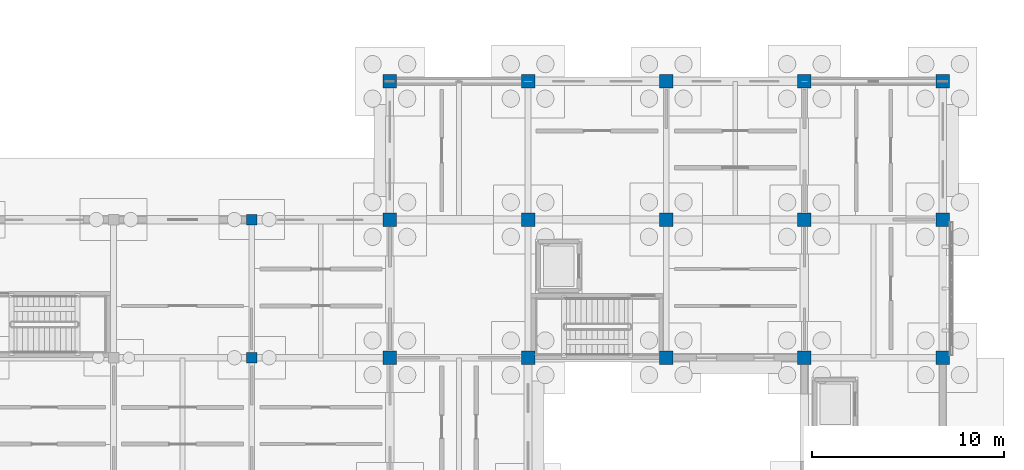
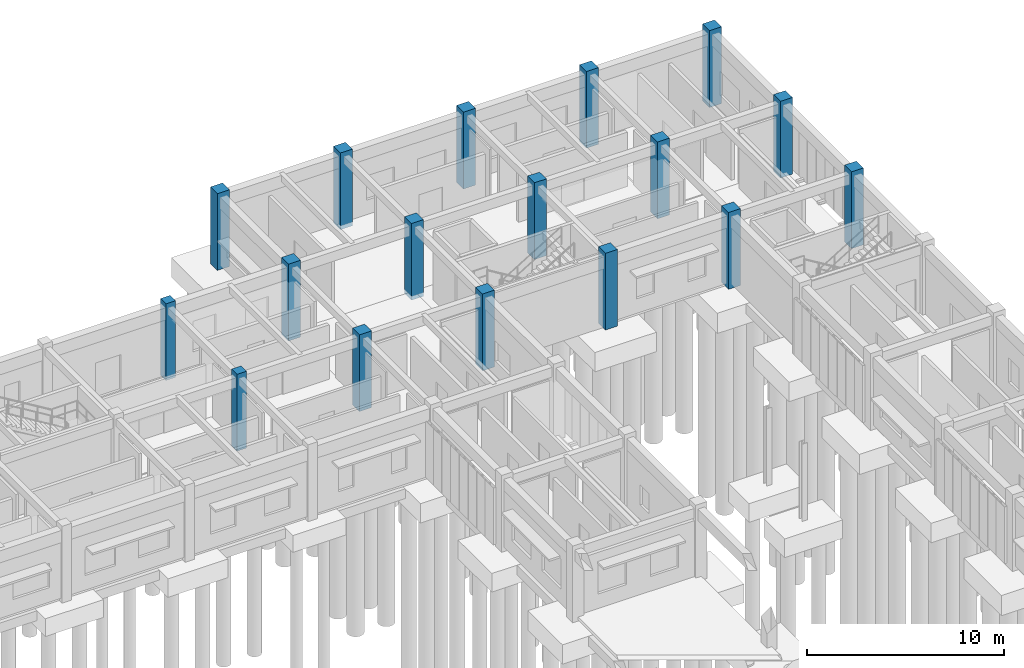
# One storey, part 12 of 111: 17 columns.
"""IFC4 building model written with IfcOpenShell, lengths in metres."""

import ifcopenshell
import ifcopenshell.guid

model = None  # the IFC model being written
_history = None  # IfcOwnerHistory: only IFC2X3 demands one
_inside = {}  # id of a spatial element -> (the spatial element, [elements in it])
_under = {}  # id of a project, library or spatial element -> (it, [spatial elements below it])
_declared = {}  # id of a project -> (the project, [libraries it declares])
_typed = {}  # id of a type object -> (the type object, [elements of that type])
_made_of = {}  # id of a material, layer set ... -> (it, [elements and type objects made of it])


def new_model(schema):
    """Start an empty IFC model of exactly this schema.

    Asked for "IFC4X3", IfcOpenShell would pick the latest addendum, in which some entities
    have other attributes; the version numbers below select the first issue.
    IFC2X3 requires an IfcOwnerHistory on every rooted entity: one is made here for all.
    """
    global model, _history
    if schema == "IFC4X3":
        model = ifcopenshell.file(schema_version=(4, 3, 0, 0))
    else:
        model = ifcopenshell.file(schema=schema)
    _inside.clear()
    _under.clear()
    _declared.clear()
    _typed.clear()
    _made_of.clear()
    _history = None
    if model.schema == "IFC2X3":
        org = make("IfcOrganization", Name="unknown")
        user = make(
            "IfcPersonAndOrganization",
            ThePerson=make("IfcPerson", FamilyName="unknown"),
            TheOrganization=org,
        )
        app = make(
            "IfcApplication",
            ApplicationDeveloper=org,
            Version="unknown",
            ApplicationFullName="unknown",
            ApplicationIdentifier="unknown",
        )
        _history = make(
            "IfcOwnerHistory",
            OwningUser=user,
            OwningApplication=app,
            ChangeAction="ADDED",
            CreationDate=0,
        )
    return model


def make(cls, **values):
    """One entity of the class cls with the attributes given. An attribute that is None is left unset."""
    return model.create_entity(
        cls, **{name: value for name, value in values.items() if value is not None}
    )


def rooted(cls, **values):
    """An entity with a GlobalId (a new one), such as an element, a storey or a relation."""
    return make(cls, GlobalId=ifcopenshell.guid.new(), OwnerHistory=_history, **values)


def si_unit(unit_type, name, prefix=None):
    """IfcSIUnit, for example si_unit("LENGTHUNIT", "METRE", prefix="MILLI")."""
    return make("IfcSIUnit", UnitType=unit_type, Prefix=prefix, Name=name)


def assignment(units):
    """IfcUnitAssignment: the units of a project."""
    return None if units is None else make("IfcUnitAssignment", Units=units)


def point(xyz):
    """IfcCartesianPoint."""
    return None if xyz is None else make("IfcCartesianPoint", Coordinates=xyz)


def direction(xyz):
    """IfcDirection."""
    return None if xyz is None else make("IfcDirection", DirectionRatios=xyz)


def frame(location, z_axis=None, x_axis=None):
    """IfcAxis2Placement3D, a coordinate frame: its origin and axes. An axis left out is left unset."""
    return make(
        "IfcAxis2Placement3D",
        Location=point(location),
        Axis=direction(z_axis),
        RefDirection=direction(x_axis),
    )


def frame_2d(location, x_axis=None):
    """IfcAxis2Placement2D, a coordinate frame in the plane: its origin and x axis."""
    return make(
        "IfcAxis2Placement2D", Location=point(location), RefDirection=direction(x_axis)
    )


def origin():
    """The frame at (0, 0, 0) with its axes left unset."""
    return frame((0.0, 0.0, 0.0))


def origin_2d():
    """The frame at (0, 0) in the plane with its x axis left unset."""
    return frame_2d((0.0, 0.0))


def place(relative_to, where):
    """IfcLocalPlacement: puts the frame where relative to a parent placement (None: the world)."""
    return make(
        "IfcLocalPlacement", PlacementRelTo=relative_to, RelativePlacement=where
    )


def context(
    kind, dimensions, precision=None, world=None, true_north=None, identifier=None
):
    """IfcGeometricRepresentationContext, for example the 3D "Model" context."""
    return make(
        "IfcGeometricRepresentationContext",
        ContextIdentifier=identifier,
        ContextType=kind,
        CoordinateSpaceDimension=dimensions,
        Precision=precision,
        WorldCoordinateSystem=world,
        TrueNorth=true_north,
    )


def subcontext(parent, identifier, kind, view, scale=None):
    """IfcGeometricRepresentationSubContext, for example "Body" below "Model"."""
    return make(
        "IfcGeometricRepresentationSubContext",
        ContextIdentifier=identifier,
        ContextType=kind,
        ParentContext=parent,
        TargetScale=scale,
        TargetView=view,
    )


def project(units=None, contexts=None):
    """IfcProject with its units and contexts."""
    return rooted(
        "IfcProject",
        Name="project",
        RepresentationContexts=contexts,
        UnitsInContext=assignment(units),
    )


def spatial(cls, under=None, at=None, **own):
    """A site, building, storey or space (cls), placed at a placement, below another one or the project."""
    s = rooted(cls, ObjectPlacement=at, **own)
    if under is not None:
        _under.setdefault(under.id(), (under, []))[1].append(s)
    return s


def profile(cls, at=None, kind="AREA", **sizes):
    """A parametric profile (cls). Its sizes go by their IFC names, for example OverallWidth=200.0."""
    return make(cls, ProfileType=kind, Position=at, **sizes)


def rectangle(**sizes):
    """IfcRectangleProfileDef."""
    return profile("IfcRectangleProfileDef", **sizes)


def extrude(swept, where, along, depth):
    """IfcExtrudedAreaSolid: the profile swept, set in the frame where, extruded along a direction by depth."""
    return make(
        "IfcExtrudedAreaSolid",
        SweptArea=swept,
        Position=where,
        ExtrudedDirection=direction(along),
        Depth=depth,
    )


def shape(context_of_items, identifier, shape_type, items):
    """IfcShapeRepresentation: the items that make up one representation, for example the "Body"."""
    return make(
        "IfcShapeRepresentation",
        ContextOfItems=context_of_items,
        RepresentationIdentifier=identifier,
        RepresentationType=shape_type,
        Items=items,
    )


def material(Name=None, Category=None):
    """IfcMaterial."""
    return make("IfcMaterial", Name=Name, Category=Category)


def material_profile(
    of_material, cross_section, Name=None, Category=None, Priority=None
):
    """IfcMaterialProfile: a cross section and its material."""
    return make(
        "IfcMaterialProfile",
        Name=Name,
        Material=of_material,
        Profile=cross_section,
        Priority=Priority,
        Category=Category,
    )


def profile_set(profiles, Name=None, composite=None):
    """IfcMaterialProfileSet."""
    return make(
        "IfcMaterialProfileSet",
        Name=Name,
        MaterialProfiles=profiles,
        CompositeProfile=composite,
    )


def made_of(thing, what):
    """Note that an element or type object is made of a material, layer set ...; save() writes the relation."""
    if what is not None:
        _made_of.setdefault(what.id(), (what, []))[1].append(thing)
    return thing


def type_object(cls, material=None, **own):
    """A type object (cls), such as IfcWallType, which elements share."""
    return made_of(rooted(cls, **own), material)


def element(
    cls,
    number,
    at=None,
    inside=None,
    cuts=None,
    type_object=None,
    material=None,
    context=None,
    identifier="Body",
    shape_type=None,
    held_by="IfcProductDefinitionShape",
    body=None,
    shapes=None,
    **own,
):
    """One element of the class cls, such as IfcWall. Its Tag is "e" and its number.

    at: its placement. inside: the storey or other place that contains it. cuts: it is an
    opening in that element (IfcRelVoidsElement). A single representation is given by context,
    identifier, shape_type and body (its items); several are given by shapes. held_by: the class
    of the entity that holds the representations. save() writes the other relations.
    """
    e = rooted(cls, Tag="e%d" % number, ObjectPlacement=at, **own)
    if body is not None:
        shapes = [shape(context, identifier, shape_type, body)]
    if shapes is not None:
        e.Representation = make(held_by, Representations=shapes)
    if inside is not None:
        _inside.setdefault(inside.id(), (inside, []))[1].append(e)
    if cuts is not None:
        rooted(
            "IfcRelVoidsElement", RelatingBuildingElement=cuts, RelatedOpeningElement=e
        )
    if type_object is not None:
        _typed.setdefault(type_object.id(), (type_object, []))[1].append(e)
    return made_of(e, material)


def aggregate(whole, parts):
    """IfcRelAggregates: a whole, such as a stair, and the parts it consists of."""
    return rooted("IfcRelAggregates", RelatingObject=whole, RelatedObjects=parts)


def save(model, path):
    """Write the relations noted so far, then the file.

    IfcRelAggregates (storeys below a building ...), IfcRelContainedInSpatialStructure (elements
    in a storey), IfcRelDefinesByType, IfcRelAssociatesMaterial and IfcRelDeclares: one each for
    every whole, place, type object, material and project.
    """
    for whole, parts in _under.values():
        aggregate(whole, parts)
    for where, things in _inside.values():
        rooted(
            "IfcRelContainedInSpatialStructure",
            RelatedElements=things,
            RelatingStructure=where,
        )
    for kind, things in _typed.values():
        rooted("IfcRelDefinesByType", RelatedObjects=things, RelatingType=kind)
    for what, things in _made_of.values():
        rooted("IfcRelAssociatesMaterial", RelatedObjects=things, RelatingMaterial=what)
    for by, libraries in _declared.values():
        rooted("IfcRelDeclares", RelatingContext=by, RelatedDefinitions=libraries)
    model.write(path)


model = new_model("IFC4")

# Units and contexts
model_context = context("Model", 3, precision=1e-05, world=origin(), true_north=direction((0.0, 1.0)))
body_context = subcontext(model_context, "Body", "Model", "MODEL_VIEW")
ifc_project = project(units=[si_unit("LENGTHUNIT", "METRE"), si_unit("AREAUNIT", "SQUARE_METRE"), si_unit("VOLUMEUNIT", "CUBIC_METRE"), si_unit("PLANEANGLEUNIT", "RADIAN"), si_unit("MASSUNIT", "GRAM", prefix="KILO")], contexts=[model_context])

# Site, building, storey
site_placement = place(None, origin())
site = spatial("IfcSite", under=ifc_project, at=site_placement, CompositionType="ELEMENT")
building_placement = place(site_placement, origin())
building = spatial("IfcBuilding", under=site, at=building_placement, Name="Aldebral Square Health Centre", CompositionType="ELEMENT")
storey_placement = place(building_placement, origin())
storey = spatial("IfcBuildingStorey", under=building, at=storey_placement, Name="L00", CompositionType="ELEMENT", Elevation=0.0)

# Columns
ifc_material = material(Name="Concrete C40/50", Category="concrete")
ifc_material_profile_1 = material_profile(ifc_material, rectangle(XDim=0.699951171875, YDim=0.699951171875, at=origin_2d()), Name="RC 700x700")
ifc_profile_set_1 = profile_set([ifc_material_profile_1], Name="Concrete C40/50")
column_type_1 = type_object("IfcColumnType", Name="COL-C1", PredefinedType="COLUMN", material=ifc_profile_set_1)
for number, where, z_axis, x_axis, name in (
    (1, (136.800048828125, 100.800048828125, -0.25), (0.0, 0.0, 1.0), (1.0, 0.0, 0.0), "L00 column 20/15"),
    (2, (136.800048828125, 108.0, -0.25), (0.0, 0.0, 1.0), (1.0, 0.0, 0.0), "L00 column 20/16"),
    (3, (136.800048828125, 115.199951171875, -0.25), (0.0, 0.0, 1.0), (1.0, 0.0, 0.0), "L00 column 20/17"),
    (4, (144.0, 100.800048828125, -0.25), (0.0, 0.0, 1.0), (1.0, 0.0, 0.0), "L00 column 21/15"),
    (5, (144.0, 108.0, -0.25), (0.0, 0.0, 1.0), (1.0, 0.0, 0.0), "L00 column 21/16"),
    (6, (144.0, 115.199951171875, -0.25), (0.0, 0.0, 1.0), (1.0, 0.0, 0.0), "L00 column 21/17"),
    (7, (151.199951171875, 100.800048828125, -0.25), (0.0, 0.0, 1.0), (1.0, 0.0, 0.0), "L00 column 22/15"),
    (8, (151.199951171875, 108.0, -0.25), (0.0, 0.0, 1.0), (1.0, 0.0, 0.0), "L00 column 22/16"),
    (9, (151.199951171875, 115.199951171875, -0.25), (0.0, 0.0, 1.0), (1.0, 0.0, 0.0), "L00 column 22/17"),
    (10, (158.39990234375, 100.800048828125, -0.25), (0.0, 0.0, 1.0), (1.0, 0.0, 0.0), "L00 column 23/15"),
    (11, (158.39990234375, 108.0, -0.25), (0.0, 0.0, 1.0), (1.0, 0.0, 0.0), "L00 column 23/16"),
    (12, (158.39990234375, 115.199951171875, -0.25), (0.0, 0.0, 1.0), (1.0, 0.0, 0.0), "L00 column 23/17"),
    (13, (165.60009765625, 100.800048828125, -0.25), (0.0, 0.0, 1.0), (1.0, 0.0, 0.0), "L00 column 24/15"),
    (14, (165.60009765625, 108.0, -0.25), (0.0, 0.0, 1.0), (1.0, 0.0, 0.0), "L00 column 24/16"),
    (15, (165.60009765625, 115.199951171875, -0.25), (0.0, 0.0, 1.0), (1.0, 0.0, 0.0), "L00 column 24/17"),
):
    element("IfcColumn", number, at=place(storey_placement, frame(where, z_axis=z_axis, x_axis=x_axis)), inside=storey, type_object=column_type_1, Name=name, PredefinedType="COLUMN", context=body_context, shape_type="SweptSolid", body=[
        extrude(rectangle(XDim=0.699951171875, YDim=0.699951171875, at=origin_2d()), origin(), (0.0, 0.0, 1.0), 4.75),
    ])
ifc_material_profile_2 = material_profile(ifc_material, rectangle(XDim=0.550048828125, YDim=0.550048828125, at=origin_2d()), Name="RC 550x550")
ifc_profile_set_2 = profile_set([ifc_material_profile_2], Name="Concrete C40/50")
column_type_2 = type_object("IfcColumnType", Name="COL-C4", PredefinedType="COLUMN", material=ifc_profile_set_2)
for number, where, z_axis, x_axis, name in (
    (16, (129.60009765625, 100.800048828125, -0.25), (0.0, 0.0, 1.0), (1.0, 0.0, 0.0), "L00 column 19/15"),
    (17, (129.60009765625, 108.0, -0.25), (0.0, 0.0, 1.0), (1.0, 0.0, 0.0), "L00 column 19/16"),
):
    element("IfcColumn", number, at=place(storey_placement, frame(where, z_axis=z_axis, x_axis=x_axis)), inside=storey, type_object=column_type_2, Name=name, PredefinedType="COLUMN", context=body_context, shape_type="SweptSolid", body=[
        extrude(rectangle(XDim=0.550048828125, YDim=0.550048828125, at=origin_2d()), origin(), (0.0, 0.0, 1.0), 4.75),
    ])

save(model, "model.ifc")
